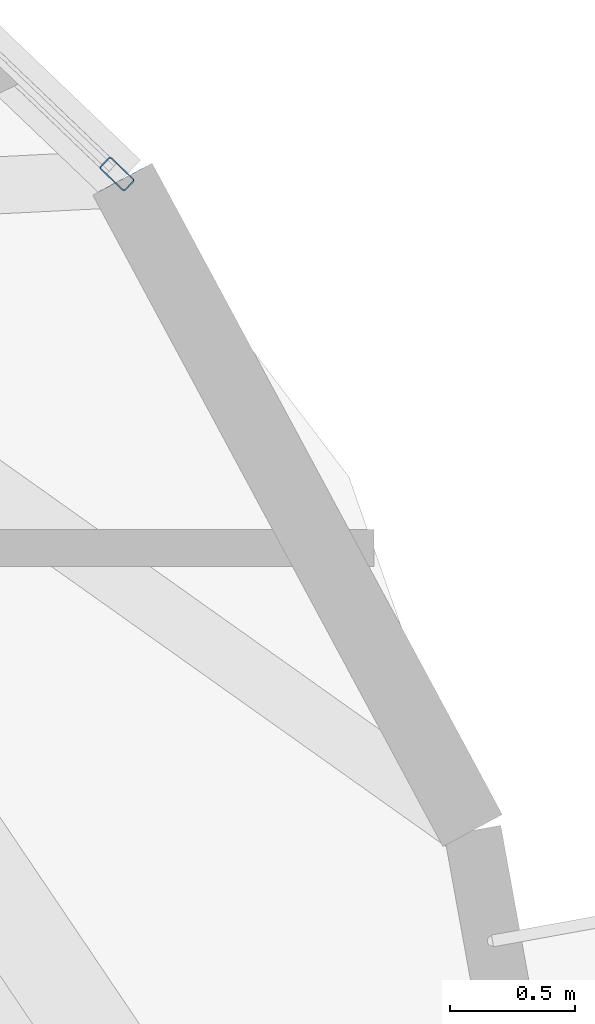
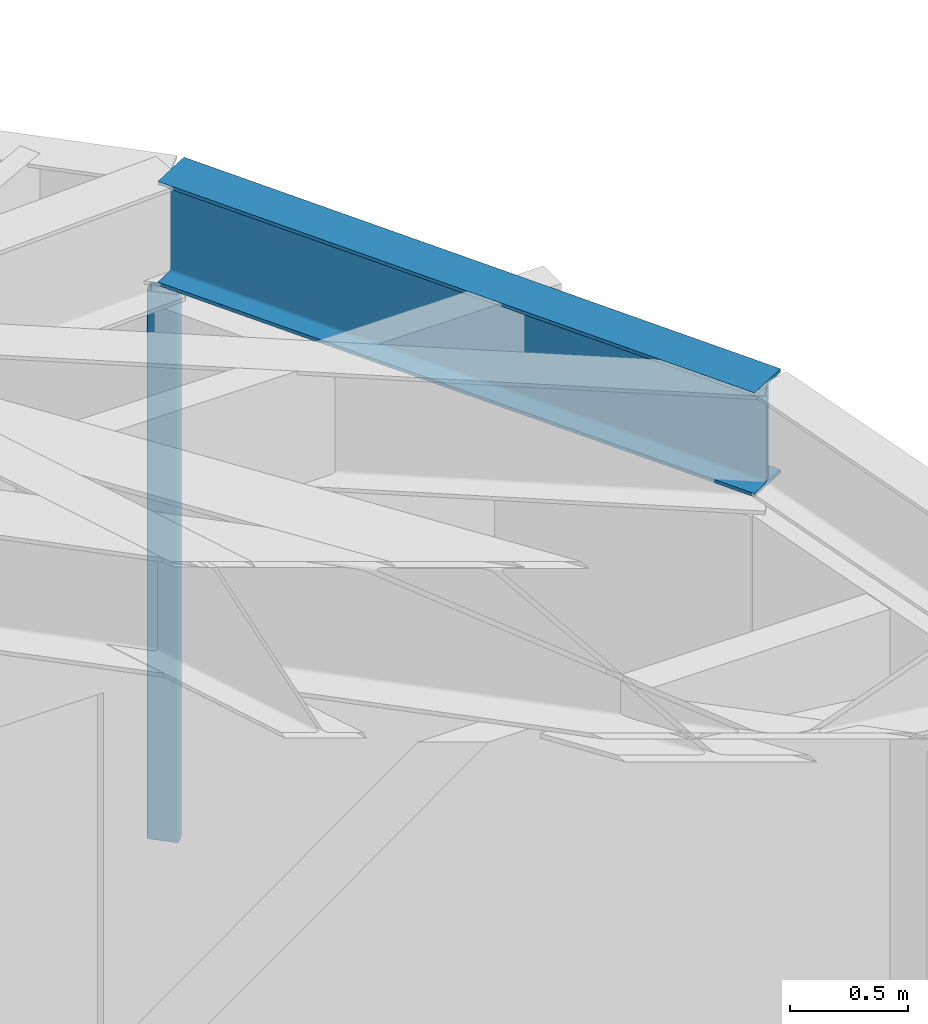
# One storey, part 15 of 26: 1 beam, 1 member, 1 element without a shape of its own.
"""IFC4 building model written with IfcOpenShell, lengths in metres."""

from ifc_helpers import new_model, si_unit, direction, frame, origin, origin_2d, place, context, subcontext, project, spatial, hollow_rectangle, i_section, extrude, material, layer, layer_set, material_profile, profile_set, type_object, element, aggregate, save


model = new_model("IFC4")

# Units and contexts
model_context = context("Model", 3, precision=1e-05, world=origin(), true_north=direction((0.0, 1.0)))
body_context = subcontext(model_context, "Body", "Model", "MODEL_VIEW")
ifc_project = project(units=[si_unit("LENGTHUNIT", "METRE"), si_unit("AREAUNIT", "SQUARE_METRE"), si_unit("VOLUMEUNIT", "CUBIC_METRE"), si_unit("PLANEANGLEUNIT", "RADIAN"), si_unit("MASSUNIT", "GRAM", prefix="KILO")], contexts=[model_context])

# Site, building, storey
site_placement = place(None, origin())
site = spatial("IfcSite", under=ifc_project, at=site_placement, CompositionType="ELEMENT")
building_placement = place(site_placement, origin())
building = spatial("IfcBuilding", under=site, at=building_placement, Name="Soratama Intermodal Tower", CompositionType="ELEMENT")
storey_placement = place(building_placement, frame((0.0, 0.0, 268.75)))
storey = spatial("IfcBuildingStorey", under=building, at=storey_placement, Name="L68", CompositionType="ELEMENT", Elevation=268.75)

# Beam
ifc_material_1 = material(Name="Structural steel ASTM A992 Grade 50", Category="steel")
ifc_material_profile_1 = material_profile(ifc_material_1, i_section(OverallWidth=0.2099609375, OverallDepth=0.537109375, WebThickness=0.010986328125, FlangeThickness=0.017333984375, FilletRadius=0.012939453125, at=origin_2d()), Name="W21X68")
ifc_profile_set_1 = profile_set([ifc_material_profile_1], Name="Structural steel ASTM A992 Grade 50")
beam_type = type_object("IfcBeamType", Name="BM-SPN-W21X68", PredefinedType="SPANDREL", material=ifc_profile_set_1)
beam_placement = place(storey_placement, frame((61.8369140625, 32.366943359375, 3.181396484375), z_axis=(-0.473579576218, 0.880751034623, 0.0), x_axis=(-0.880751034623, -0.473579576218, 0.0)))
element("IfcBeam", 1, at=beam_placement, inside=storey, type_object=beam_type, Name="BS-L68-CRN09", PredefinedType="SPANDREL", context=body_context, shape_type="SweptSolid", body=[
    extrude(i_section(OverallWidth=0.2099609375, OverallDepth=0.537109375, WebThickness=0.010986328125, FlangeThickness=0.017333984375, FilletRadius=0.012939453125, at=origin_2d()), origin(), (0.0, 0.0, 1.0), 2.966796875),
])

# Curtain wall, member
ifc_material_2 = material(Name="Double-glazed aluminium curtain wall", Category="aluminium")
ifc_layer = layer(ifc_material_2, 0.159912109375)
ifc_layer_set = layer_set([ifc_layer], Name="Double-glazed aluminium curtain wall")
curtain_wall_type = type_object("IfcCurtainWallType", Name="CW-SYS-5", PredefinedType="NOTDEFINED", material=ifc_layer_set)
curtain_wall_placement = place(storey_placement, origin())
curtain_wall = element("IfcCurtainWall", 2, at=curtain_wall_placement, inside=storey, type_object=curtain_wall_type, Name="L68 Faceted Curtain Wall F10", PredefinedType="NOTDEFINED")
ifc_material_3 = material(Name="Anodised aluminium AA 6063-T6", Category="aluminium")
ifc_material_profile_2 = material_profile(ifc_material_3, hollow_rectangle(XDim=0.06494140625, YDim=0.139892578125, WallThickness=0.0048828125, InnerFilletRadius=0.0048828125, OuterFilletRadius=0.010009765625, at=origin_2d()), Name="CWM140X65X5")
ifc_profile_set_2 = profile_set([ifc_material_profile_2], Name="Anodised aluminium AA 6063-T6")
member_type = type_object("IfcMemberType", Name="MT-CWM-5", PredefinedType="MULLION", material=ifc_profile_set_2)
member_placement = place(storey_placement, frame((60.41064453125, 35.000244140625, 0.0), z_axis=(0.0, 0.0, 1.0), x_axis=(-0.69138850951, -0.722483168605, 0.0)))
member = element("IfcMember", 3, at=member_placement, type_object=member_type, Name="CW-5 mullion 1", PredefinedType="MULLION", context=body_context, shape_type="SweptSolid", body=[
    extrude(hollow_rectangle(XDim=0.06494140625, YDim=0.139892578125, WallThickness=0.0048828125, InnerFilletRadius=0.0048828125, OuterFilletRadius=0.010009765625, at=origin_2d()), origin(), (0.0, 0.0, 1.0), 2.8291015625),
])
aggregate(curtain_wall, [member])

save(model, "model.ifc")
